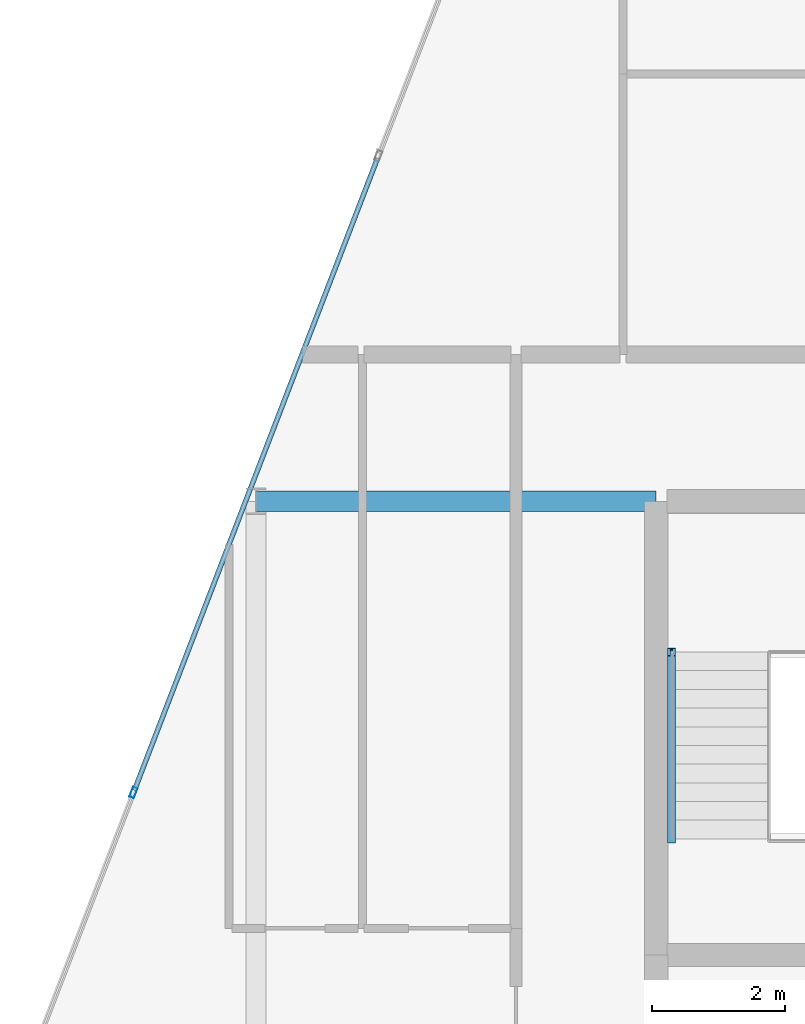
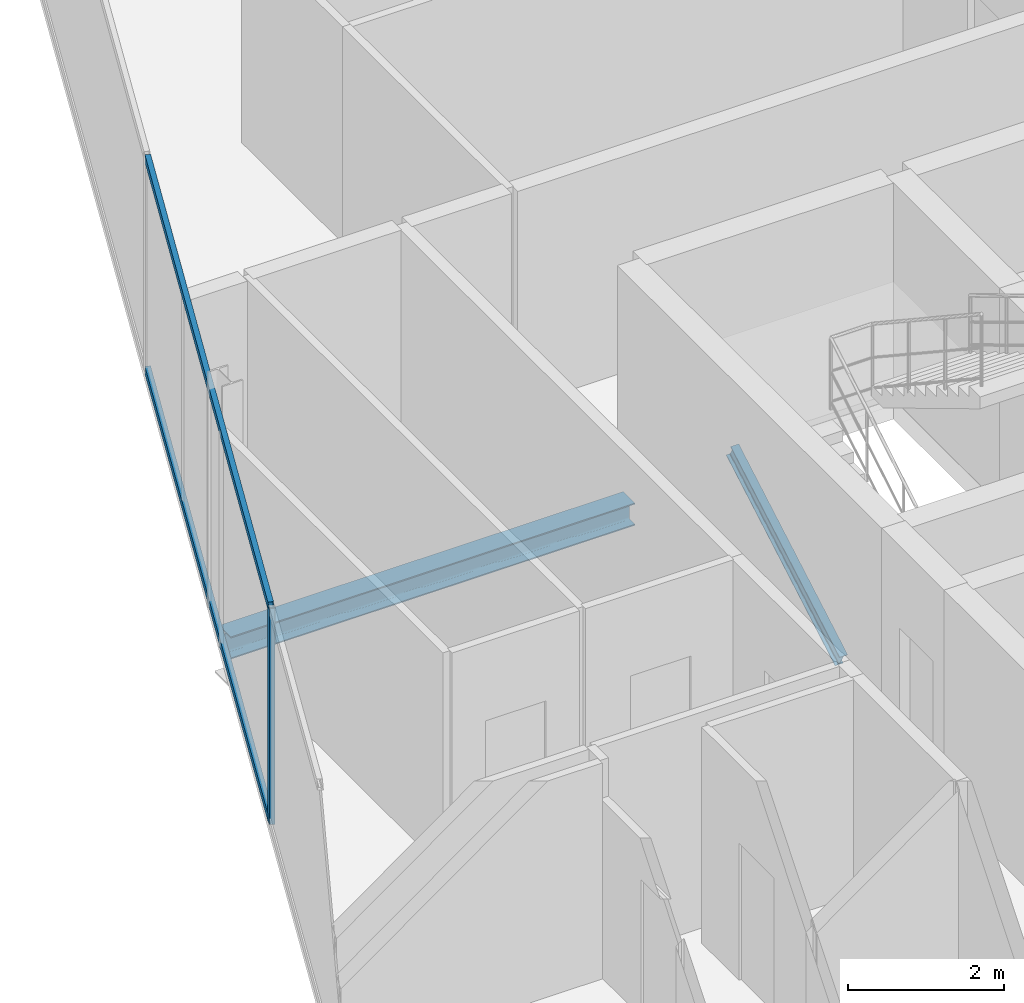
# One storey, part 10 of 27: 4 members, 1 beam, 1 element without a shape of its own.
"""IFC4 building model written with IfcOpenShell, lengths in metres."""

from ifc_helpers import new_model, si_unit, direction, frame, origin, origin_2d, place, context, subcontext, project, spatial, hollow_rectangle, i_section, extrude, material, layer, layer_set, material_profile, profile_set, type_object, element, aggregate, save


model = new_model("IFC4")

# Units and contexts
model_context = context("Model", 3, precision=1e-05, world=origin(), true_north=direction((0.0, 1.0)))
body_context = subcontext(model_context, "Body", "Model", "MODEL_VIEW")
ifc_project = project(units=[si_unit("LENGTHUNIT", "METRE"), si_unit("AREAUNIT", "SQUARE_METRE"), si_unit("VOLUMEUNIT", "CUBIC_METRE"), si_unit("PLANEANGLEUNIT", "RADIAN"), si_unit("MASSUNIT", "GRAM", prefix="KILO")], contexts=[model_context])

# Site, building, storey
site_placement = place(None, origin())
site = spatial("IfcSite", under=ifc_project, at=site_placement, CompositionType="ELEMENT")
building_placement = place(site_placement, origin())
building = spatial("IfcBuilding", under=site, at=building_placement, Name="Keshet Zoharim Tower", CompositionType="ELEMENT")
storey_placement = place(building_placement, frame((0.0, 0.0, 247.300048828125)))
storey = spatial("IfcBuildingStorey", under=building, at=storey_placement, Name="L61", CompositionType="ELEMENT", Elevation=247.300048828125)

# Beam
ifc_material_1 = material(Name="Steel S355", Category="steel")
ifc_material_profile_1 = material_profile(ifc_material_1, i_section(OverallWidth=0.300048828125, OverallDepth=0.35009765625, WebThickness=0.010009765625, FlangeThickness=0.017578125, FilletRadius=0.027099609375, at=origin_2d()), Name="HEA360")
ifc_profile_set_1 = profile_set([ifc_material_profile_1], Name="Steel S355")
beam_type = type_object("IfcBeamType", Name="BM-PRI-HA360", PredefinedType="BEAM", material=ifc_profile_set_1)
beam_placement = place(storey_placement, frame((9.0, 37.89990234375, -0.485107421875), z_axis=(1.0, 0.0, 0.0), x_axis=(0.0, 1.0, 0.0)))
element("IfcBeam", 1, at=beam_placement, inside=storey, type_object=beam_type, Name="L61 Primary Girder X-008", PredefinedType="BEAM", context=body_context, shape_type="SweptSolid", body=[
    extrude(i_section(OverallWidth=0.300048828125, OverallDepth=0.35009765625, WebThickness=0.010009765625, FlangeThickness=0.017578125, FilletRadius=0.027099609375, at=origin_2d()), origin(), (0.0, 0.0, 1.0), 6.0),
])

# Curtain wall, members
ifc_material_2 = material(Name="Aluminium 6063-T6", Category="aluminium")
ifc_layer = layer(ifc_material_2, 0.260009765625)
ifc_layer_set = layer_set([ifc_layer], Name="Aluminium 6063-T6")
curtain_wall_type = type_object("IfcCurtainWallType", Name="CW-SYS-06", PredefinedType="NOTDEFINED", material=ifc_layer_set)
curtain_wall_placement = place(storey_placement, origin())
curtain_wall = element("IfcCurtainWall", 2, at=curtain_wall_placement, inside=storey, type_object=curtain_wall_type, Name="L61 Unitised Curtain Wall 03", PredefinedType="NOTDEFINED")
ifc_material_profile_2 = material_profile(ifc_material_2, hollow_rectangle(XDim=0.074951171875, YDim=0.159912109375, WallThickness=0.00390625, at=origin_2d()), Name="MUL-75x160")
ifc_profile_set_2 = profile_set([ifc_material_profile_2], Name="Aluminium 6063-T6")
member_type_1 = type_object("IfcMemberType", Name="CWM-M15", PredefinedType="MULLION", material=ifc_profile_set_2)
member_1_placement = place(storey_placement, frame((7.1669921875, 33.53466796875, 0.0), z_axis=(0.0, 0.0, 1.0), x_axis=(-0.933341404361, 0.358990003907, 0.0)))
member_1 = element("IfcMember", 3, at=member_1_placement, type_object=member_type_1, Name="CW-06 mullion 2", PredefinedType="MULLION", context=body_context, shape_type="SweptSolid", body=[
    extrude(hollow_rectangle(XDim=0.074951171875, YDim=0.159912109375, WallThickness=0.00390625, at=origin_2d()), origin(), (0.0, 0.0, 1.0), 3.389892578125),
])
ifc_material_profile_3 = material_profile(ifc_material_2, hollow_rectangle(XDim=0.074951171875, YDim=0.1201171875, WallThickness=0.00390625, at=origin_2d()), Name="TRN-75x120")
ifc_profile_set_3 = profile_set([ifc_material_profile_3], Name="Aluminium 6063-T6")
member_type_2 = type_object("IfcMemberType", Name="CWT-T12", PredefinedType="USERDEFINED", material=ifc_profile_set_3)
member_2_placement = place(storey_placement, frame((7.179443359375, 33.5673828125, 0.034912109375), z_axis=(0.359003248899, 0.933336309848, 0.0), x_axis=(-0.933336309848, 0.359003248899, 0.0)))
member_2 = element("IfcMember", 4, at=member_2_placement, type_object=member_type_2, Name="CW-06 transom 2.1", ObjectType="TRANSOM", PredefinedType="USERDEFINED", context=body_context, shape_type="SweptSolid", body=[
    extrude(hollow_rectangle(XDim=0.074951171875, YDim=0.1201171875, WallThickness=0.00390625, at=origin_2d()), origin(), (0.0, 0.0, 1.0), 10.153076171875),
])
member_3_placement = place(storey_placement, frame((7.179443359375, 33.5673828125, 3.35498046875), z_axis=(0.359003248899, 0.933336309848, 0.0), x_axis=(-0.933336309848, 0.359003248899, 0.0)))
member_3 = element("IfcMember", 5, at=member_3_placement, type_object=member_type_2, Name="CW-06 transom 2.2", ObjectType="TRANSOM", PredefinedType="USERDEFINED", context=body_context, shape_type="SweptSolid", body=[
    extrude(hollow_rectangle(XDim=0.074951171875, YDim=0.1201171875, WallThickness=0.00390625, at=origin_2d()), origin(), (0.0, 0.0, 1.0), 10.153076171875),
])
aggregate(curtain_wall, [member_1, member_2, member_3])

# Member
ifc_material_profile_4 = material_profile(ifc_material_1, i_section(OverallWidth=0.1201171875, OverallDepth=0.239990234375, WebThickness=0.006103515625, FlangeThickness=0.009765625, FilletRadius=0.014892578125, at=origin_2d()), Name="IPE240")
ifc_profile_set_4 = profile_set([ifc_material_profile_4], Name="Steel S355")
member_type_3 = type_object("IfcMemberType", Name="MB-STRG-IP240", PredefinedType="STRINGER", material=ifc_profile_set_4)
member_4_placement = place(storey_placement, frame((15.22998046875, 32.840087890625, 0.119873046875), z_axis=(0.0, 0.866876903101, 0.498522251129), x_axis=(-1.0, 0.0, 0.0)))
element("IfcMember", 6, at=member_4_placement, inside=storey, type_object=member_type_3, Name="L61 ST-02 Flight Steel Stringer", PredefinedType="STRINGER", context=body_context, shape_type="SweptSolid", body=[
    extrude(i_section(OverallWidth=0.1201171875, OverallDepth=0.239990234375, WebThickness=0.006103515625, FlangeThickness=0.009765625, FilletRadius=0.014892578125, at=origin_2d()), origin(), (0.0, 0.0, 1.0), 3.229736328125),
])

save(model, "model.ifc")
